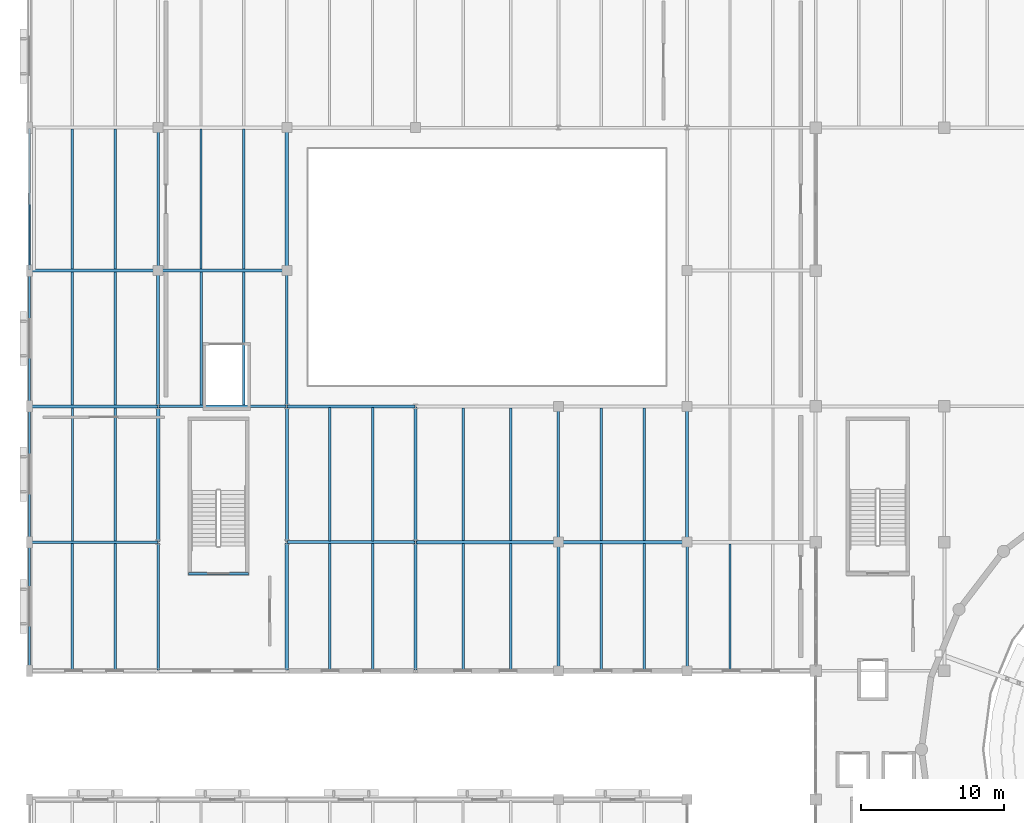
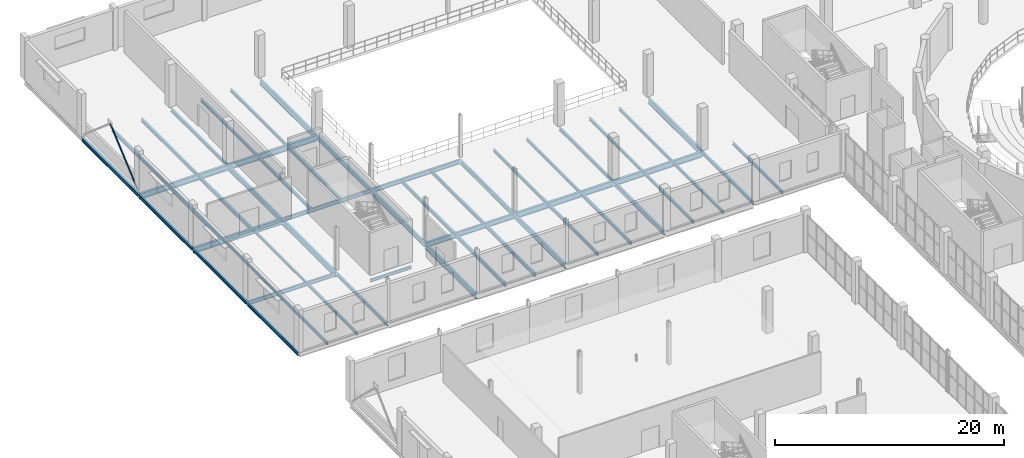
# One storey, part 42 of 93: 53 beams, 1 member.
"""IFC4 building model written with IfcOpenShell, lengths in metres."""

from ifc_helpers import new_model, si_unit, direction, frame, origin, origin_2d, place, context, subcontext, project, spatial, hollow_circle, i_section, extrude, material, material_profile, profile_set, type_object, element, save


model = new_model("IFC4")

# Units and contexts
model_context = context("Model", 3, precision=1e-05, world=origin(), true_north=direction((0.0, 1.0)))
body_context = subcontext(model_context, "Body", "Model", "MODEL_VIEW")
ifc_project = project(units=[si_unit("LENGTHUNIT", "METRE"), si_unit("AREAUNIT", "SQUARE_METRE"), si_unit("VOLUMEUNIT", "CUBIC_METRE"), si_unit("PLANEANGLEUNIT", "RADIAN"), si_unit("MASSUNIT", "GRAM", prefix="KILO")], contexts=[model_context])

# Site, building, storey
site_placement = place(None, origin())
site = spatial("IfcSite", under=ifc_project, at=site_placement, CompositionType="ELEMENT")
building_placement = place(site_placement, origin())
building = spatial("IfcBuilding", under=site, at=building_placement, Name="Marnock Terrace Opera House", CompositionType="ELEMENT")
storey_placement = place(building_placement, frame((0.0, 0.0, 5.39990234375)))
storey = spatial("IfcBuildingStorey", under=building, at=storey_placement, Name="L01", CompositionType="ELEMENT", Elevation=5.39990234375)

# Beams
ifc_material_1 = material(Name="Steel Grade 350 (AS/NZS 3679.1)", Category="steel")
ifc_material_profile_1 = material_profile(ifc_material_1, i_section(OverallWidth=0.1708984375, OverallDepth=0.355712890625, WebThickness=0.00732421875, FlangeThickness=0.011474609375, FilletRadius=0.011474609375, at=origin_2d()))
ifc_profile_set_1 = profile_set([ifc_material_profile_1], Name="Steel Grade 350 (AS/NZS 3679.1)")
beam_type_1 = type_object("IfcBeamType", Name="BM-GIRD-360", PredefinedType="BEAM", material=ifc_profile_set_1)
beam_1_placement = place(storey_placement, frame((9.0, 66.050048828125, -0.457763671875), z_axis=(0.0, 1.0, 0.0), x_axis=(-1.0, 0.0, 0.0)))
element("IfcBeam", 1, at=beam_1_placement, inside=storey, type_object=beam_type_1, Name="L01 girder (X=9.0, 66.0..75.0)", PredefinedType="BEAM", context=body_context, shape_type="SweptSolid", body=[
    extrude(i_section(OverallWidth=0.1708984375, OverallDepth=0.355712890625, WebThickness=0.00732421875, FlangeThickness=0.011474609375, FilletRadius=0.011474609375, at=origin_2d()), origin(), (0.0, 0.0, 1.0), 8.89990234375),
])
beam_2_placement = place(storey_placement, frame((9.0, 94.050048828125, -0.457763671875), z_axis=(0.0, 1.0, 0.0), x_axis=(-1.0, 0.0, 0.0)))
element("IfcBeam", 2, at=beam_2_placement, inside=storey, type_object=beam_type_1, Name="L01 girder (X=9.0, 94.0..104.0)", PredefinedType="BEAM", context=body_context, shape_type="SweptSolid", body=[
    extrude(i_section(OverallWidth=0.1708984375, OverallDepth=0.355712890625, WebThickness=0.00732421875, FlangeThickness=0.011474609375, FilletRadius=0.011474609375, at=origin_2d()), origin(), (0.0, 0.0, 1.0), 9.89990234375),
])
beam_3_placement = place(storey_placement, frame((37.0, 75.050048828125, -0.457763671875), z_axis=(0.0, 1.0, 0.0), x_axis=(-1.0, 0.0, 0.0)))
element("IfcBeam", 3, at=beam_3_placement, inside=storey, type_object=beam_type_1, Name="L01 girder (X=37.0, 75.0..84.5)", PredefinedType="BEAM", context=body_context, shape_type="SweptSolid", body=[
    extrude(i_section(OverallWidth=0.1708984375, OverallDepth=0.355712890625, WebThickness=0.00732421875, FlangeThickness=0.011474609375, FilletRadius=0.011474609375, at=origin_2d()), origin(), (0.0, 0.0, 1.0), 9.39990234375),
])
beam_4_placement = place(storey_placement, frame((46.0, 66.050048828125, -0.457763671875), z_axis=(0.0, 1.0, 0.0), x_axis=(-1.0, 0.0, 0.0)))
element("IfcBeam", 4, at=beam_4_placement, inside=storey, type_object=beam_type_1, Name="L01 girder (X=46.0, 66.0..75.0)", PredefinedType="BEAM", context=body_context, shape_type="SweptSolid", body=[
    extrude(i_section(OverallWidth=0.1708984375, OverallDepth=0.355712890625, WebThickness=0.00732421875, FlangeThickness=0.011474609375, FilletRadius=0.011474609375, at=origin_2d()), origin(), (0.0, 0.0, 1.0), 8.89990234375),
])
ifc_material_profile_2 = material_profile(ifc_material_1, i_section(OverallWidth=0.177978515625, OverallDepth=0.402587890625, WebThickness=0.007568359375, FlangeThickness=0.010986328125, FilletRadius=0.011474609375, at=origin_2d()))
ifc_profile_set_2 = profile_set([ifc_material_profile_2], Name="Steel Grade 350 (AS/NZS 3679.1)")
beam_type_2 = type_object("IfcBeamType", Name="BM-GIRD-410", PredefinedType="BEAM", material=ifc_profile_set_2)
for number, where, z_axis, x_axis, name in (
    (5, (0.050048828125, 75.0, -0.481201171875), (1.0, 0.0, 0.0), (0.0, 1.0, 0.0), "L01 girder (0.0..9.0, Y=75.0)"),
    (6, (9.050048828125, 84.5, -0.481201171875), (1.0, 0.0, 0.0), (0.0, 1.0, 0.0), "L01 girder (9.0..18.0, Y=84.5)"),
):
    element("IfcBeam", number, at=place(storey_placement, frame(where, z_axis=z_axis, x_axis=x_axis)), inside=storey, type_object=beam_type_2, Name=name, PredefinedType="BEAM", context=body_context, shape_type="SweptSolid", body=[
        extrude(i_section(OverallWidth=0.177978515625, OverallDepth=0.402587890625, WebThickness=0.007568359375, FlangeThickness=0.010986328125, FilletRadius=0.011474609375, at=origin_2d()), origin(), (0.0, 0.0, 1.0), 8.89990234375),
    ])
ifc_material_profile_3 = material_profile(ifc_material_1, i_section(OverallWidth=0.19091796875, OverallDepth=0.46044921875, WebThickness=0.010009765625, FlangeThickness=0.01611328125, FilletRadius=0.011474609375, at=origin_2d()))
ifc_profile_set_3 = profile_set([ifc_material_profile_3], Name="Steel Grade 350 (AS/NZS 3679.1)")
beam_type_3 = type_object("IfcBeamType", Name="BM-GIRD-460A", PredefinedType="BEAM", material=ifc_profile_set_3)
beam_5_placement = place(storey_placement, frame((18.050048828125, 84.5, -0.510009765625), z_axis=(1.0, 0.0, 0.0), x_axis=(0.0, 1.0, 0.0)))
element("IfcBeam", 7, at=beam_5_placement, inside=storey, type_object=beam_type_3, Name="L01 girder (18.0..27.0, Y=84.5)", PredefinedType="BEAM", context=body_context, shape_type="SweptSolid", body=[
    extrude(i_section(OverallWidth=0.19091796875, OverallDepth=0.46044921875, WebThickness=0.010009765625, FlangeThickness=0.01611328125, FilletRadius=0.011474609375, at=origin_2d()), origin(), (0.0, 0.0, 1.0), 8.89990234375),
])
ifc_material_profile_4 = material_profile(ifc_material_1, i_section(OverallWidth=0.18994140625, OverallDepth=0.45751953125, WebThickness=0.009033203125, FlangeThickness=0.014404296875, FilletRadius=0.011474609375, at=origin_2d()))
ifc_profile_set_4 = profile_set([ifc_material_profile_4], Name="Steel Grade 350 (AS/NZS 3679.1)")
beam_type_4 = type_object("IfcBeamType", Name="BM-GIRD-460B", PredefinedType="BEAM", material=ifc_profile_set_4)
for number, where, z_axis, x_axis, name in (
    (8, (18.0, 84.550048828125, -0.508544921875), (0.0, 1.0, 0.0), (-1.0, 0.0, 0.0), "L01 girder (X=18.0, 84.5..94.0)"),
    (9, (27.0, 75.050048828125, -0.508544921875), (0.0, 1.0, 0.0), (-1.0, 0.0, 0.0), "L01 girder (X=27.0, 75.0..84.5)"),
):
    element("IfcBeam", number, at=place(storey_placement, frame(where, z_axis=z_axis, x_axis=x_axis)), inside=storey, type_object=beam_type_4, Name=name, PredefinedType="BEAM", context=body_context, shape_type="SweptSolid", body=[
        extrude(i_section(OverallWidth=0.18994140625, OverallDepth=0.45751953125, WebThickness=0.009033203125, FlangeThickness=0.014404296875, FilletRadius=0.011474609375, at=origin_2d()), origin(), (0.0, 0.0, 1.0), 9.39990234375),
    ])
beam_6_placement = place(storey_placement, frame((37.0, 66.050048828125, -0.508544921875), z_axis=(0.0, 1.0, 0.0), x_axis=(-1.0, 0.0, 0.0)))
element("IfcBeam", 10, at=beam_6_placement, inside=storey, type_object=beam_type_4, Name="L01 girder (X=37.0, 66.0..75.0)", PredefinedType="BEAM", context=body_context, shape_type="SweptSolid", body=[
    extrude(i_section(OverallWidth=0.18994140625, OverallDepth=0.45751953125, WebThickness=0.009033203125, FlangeThickness=0.014404296875, FilletRadius=0.011474609375, at=origin_2d()), origin(), (0.0, 0.0, 1.0), 8.89990234375),
])
ifc_material_profile_5 = material_profile(ifc_material_1, i_section(OverallWidth=0.208984375, OverallDepth=0.532958984375, WebThickness=0.01025390625, FlangeThickness=0.015625, FilletRadius=0.013916015625, at=origin_2d()))
ifc_profile_set_5 = profile_set([ifc_material_profile_5], Name="Steel Grade 350 (AS/NZS 3679.1)")
beam_type_5 = type_object("IfcBeamType", Name="BM-GIRD-530A", PredefinedType="BEAM", material=ifc_profile_set_5)
beam_7_placement = place(storey_placement, frame((18.050048828125, 75.0, -0.54638671875), z_axis=(1.0, 0.0, 0.0), x_axis=(0.0, 1.0, 0.0)))
element("IfcBeam", 11, at=beam_7_placement, inside=storey, type_object=beam_type_5, Name="L01 girder (18.0..27.0, Y=75.0)", PredefinedType="BEAM", context=body_context, shape_type="SweptSolid", body=[
    extrude(i_section(OverallWidth=0.208984375, OverallDepth=0.532958984375, WebThickness=0.01025390625, FlangeThickness=0.015625, FilletRadius=0.013916015625, at=origin_2d()), origin(), (0.0, 0.0, 1.0), 8.89990234375),
])
ifc_material_profile_6 = material_profile(ifc_material_1, i_section(OverallWidth=0.208984375, OverallDepth=0.528076171875, WebThickness=0.009521484375, FlangeThickness=0.01318359375, FilletRadius=0.013916015625, at=origin_2d()))
ifc_profile_set_6 = profile_set([ifc_material_profile_6], Name="Steel Grade 350 (AS/NZS 3679.1)")
beam_type_6 = type_object("IfcBeamType", Name="BM-GIRD-530B", PredefinedType="BEAM", material=ifc_profile_set_6)
for number, where, z_axis, x_axis, name in (
    (12, (9.0, 84.550048828125, -0.5439453125), (0.0, 1.0, 0.0), (-1.0, 0.0, 0.0), "L01 girder (X=9.0, 84.5..94.0)"),
    (13, (18.0, 75.050048828125, -0.5439453125), (0.0, 1.0, 0.0), (-1.0, 0.0, 0.0), "L01 girder (X=18.0, 75.0..84.5)"),
):
    element("IfcBeam", number, at=place(storey_placement, frame(where, z_axis=z_axis, x_axis=x_axis)), inside=storey, type_object=beam_type_6, Name=name, PredefinedType="BEAM", context=body_context, shape_type="SweptSolid", body=[
        extrude(i_section(OverallWidth=0.208984375, OverallDepth=0.528076171875, WebThickness=0.009521484375, FlangeThickness=0.01318359375, FilletRadius=0.013916015625, at=origin_2d()), origin(), (0.0, 0.0, 1.0), 9.39990234375),
    ])
beam_8_placement = place(storey_placement, frame((27.0, 66.050048828125, -0.5439453125), z_axis=(0.0, 1.0, 0.0), x_axis=(-1.0, 0.0, 0.0)))
element("IfcBeam", 14, at=beam_8_placement, inside=storey, type_object=beam_type_6, Name="L01 girder (X=27.0, 66.0..75.0)", PredefinedType="BEAM", context=body_context, shape_type="SweptSolid", body=[
    extrude(i_section(OverallWidth=0.208984375, OverallDepth=0.528076171875, WebThickness=0.009521484375, FlangeThickness=0.01318359375, FilletRadius=0.013916015625, at=origin_2d()), origin(), (0.0, 0.0, 1.0), 8.89990234375),
])
ifc_material_profile_7 = material_profile(ifc_material_1, i_section(OverallWidth=0.22900390625, OverallDepth=0.611572265625, WebThickness=0.011962890625, FlangeThickness=0.01953125, FilletRadius=0.013916015625, at=origin_2d()))
ifc_profile_set_7 = profile_set([ifc_material_profile_7], Name="Steel Grade 350 (AS/NZS 3679.1)")
beam_type_7 = type_object("IfcBeamType", Name="BM-GIRD-610A", PredefinedType="BEAM", material=ifc_profile_set_7)
for number, where, z_axis, x_axis, name in (
    (15, (0.050048828125, 84.5, -0.585693359375), (1.0, 0.0, 0.0), (0.0, 1.0, 0.0), "L01 girder (0.0..9.0, Y=84.5)"),
    (16, (9.050048828125, 94.0, -0.585693359375), (1.0, 0.0, 0.0), (0.0, 1.0, 0.0), "L01 girder (9.0..18.0, Y=94.0)"),
):
    element("IfcBeam", number, at=place(storey_placement, frame(where, z_axis=z_axis, x_axis=x_axis)), inside=storey, type_object=beam_type_7, Name=name, PredefinedType="BEAM", context=body_context, shape_type="SweptSolid", body=[
        extrude(i_section(OverallWidth=0.22900390625, OverallDepth=0.611572265625, WebThickness=0.011962890625, FlangeThickness=0.01953125, FilletRadius=0.013916015625, at=origin_2d()), origin(), (0.0, 0.0, 1.0), 8.89990234375),
    ])
ifc_material_profile_8 = material_profile(ifc_material_1, i_section(OverallWidth=0.22802734375, OverallDepth=0.60693359375, WebThickness=0.01123046875, FlangeThickness=0.017333984375, FilletRadius=0.013916015625, at=origin_2d()))
ifc_profile_set_8 = profile_set([ifc_material_profile_8], Name="Steel Grade 350 (AS/NZS 3679.1)")
beam_type_8 = type_object("IfcBeamType", Name="BM-GIRD-610B", PredefinedType="BEAM", material=ifc_profile_set_8)
beam_9_placement = place(storey_placement, frame((27.050048828125, 75.0, -0.58349609375), z_axis=(1.0, 0.0, 0.0), x_axis=(0.0, 1.0, 0.0)))
element("IfcBeam", 17, at=beam_9_placement, inside=storey, type_object=beam_type_8, Name="L01 girder (27.0..37.0, Y=75.0)", PredefinedType="BEAM", context=body_context, shape_type="SweptSolid", body=[
    extrude(i_section(OverallWidth=0.22802734375, OverallDepth=0.60693359375, WebThickness=0.01123046875, FlangeThickness=0.017333984375, FilletRadius=0.013916015625, at=origin_2d()), origin(), (0.0, 0.0, 1.0), 9.89990234375),
])
for number, where, z_axis, x_axis, name in (
    (18, (37.050048828125, 75.0, -0.58349609375), (1.0, 0.0, 0.0), (0.0, 1.0, 0.0), "L01 girder (37.0..46.0, Y=75.0)"),
    (19, (0.050048828125, 94.0, -0.58349609375), (1.0, 0.0, 0.0), (0.0, 1.0, 0.0), "L01 girder (0.0..9.0, Y=94.0)"),
):
    element("IfcBeam", number, at=place(storey_placement, frame(where, z_axis=z_axis, x_axis=x_axis)), inside=storey, type_object=beam_type_8, Name=name, PredefinedType="BEAM", context=body_context, shape_type="SweptSolid", body=[
        extrude(i_section(OverallWidth=0.22802734375, OverallDepth=0.60693359375, WebThickness=0.01123046875, FlangeThickness=0.017333984375, FilletRadius=0.013916015625, at=origin_2d()), origin(), (0.0, 0.0, 1.0), 8.89990234375),
    ])
ifc_material_profile_9 = material_profile(ifc_material_1, i_section(OverallWidth=0.22802734375, OverallDepth=0.60205078125, WebThickness=0.010498046875, FlangeThickness=0.014892578125, FilletRadius=0.013916015625, at=origin_2d()))
ifc_profile_set_9 = profile_set([ifc_material_profile_9], Name="Steel Grade 350 (AS/NZS 3679.1)")
beam_type_9 = type_object("IfcBeamType", Name="BM-GIRD-610C", PredefinedType="BEAM", material=ifc_profile_set_9)
beam_10_placement = place(storey_placement, frame((9.0, 75.050048828125, -0.580810546875), z_axis=(0.0, 1.0, 0.0), x_axis=(-1.0, 0.0, 0.0)))
element("IfcBeam", 20, at=beam_10_placement, inside=storey, type_object=beam_type_9, Name="L01 girder (X=9.0, 75.0..84.5)", PredefinedType="BEAM", context=body_context, shape_type="SweptSolid", body=[
    extrude(i_section(OverallWidth=0.22802734375, OverallDepth=0.60205078125, WebThickness=0.010498046875, FlangeThickness=0.014892578125, FilletRadius=0.013916015625, at=origin_2d()), origin(), (0.0, 0.0, 1.0), 9.39990234375),
])
beam_11_placement = place(storey_placement, frame((18.0, 66.050048828125, -0.580810546875), z_axis=(0.0, 1.0, 0.0), x_axis=(-1.0, 0.0, 0.0)))
element("IfcBeam", 21, at=beam_11_placement, inside=storey, type_object=beam_type_9, Name="L01 girder (X=18.0, 66.0..75.0)", PredefinedType="BEAM", context=body_context, shape_type="SweptSolid", body=[
    extrude(i_section(OverallWidth=0.22802734375, OverallDepth=0.60205078125, WebThickness=0.010498046875, FlangeThickness=0.014892578125, FilletRadius=0.013916015625, at=origin_2d()), origin(), (0.0, 0.0, 1.0), 8.89990234375),
])
beam_12_placement = place(storey_placement, frame((18.0, 94.050048828125, -0.580810546875), z_axis=(0.0, 1.0, 0.0), x_axis=(-1.0, 0.0, 0.0)))
element("IfcBeam", 22, at=beam_12_placement, inside=storey, type_object=beam_type_9, Name="L01 girder (X=18.0, 94.0..104.0)", PredefinedType="BEAM", context=body_context, shape_type="SweptSolid", body=[
    extrude(i_section(OverallWidth=0.22802734375, OverallDepth=0.60205078125, WebThickness=0.010498046875, FlangeThickness=0.014892578125, FilletRadius=0.013916015625, at=origin_2d()), origin(), (0.0, 0.0, 1.0), 9.89990234375),
])
beam_13_placement = place(storey_placement, frame((46.0, 75.050048828125, -0.580810546875), z_axis=(0.0, 1.0, 0.0), x_axis=(-1.0, 0.0, 0.0)))
element("IfcBeam", 23, at=beam_13_placement, inside=storey, type_object=beam_type_9, Name="L01 girder (X=46.0, 75.0..84.5)", PredefinedType="BEAM", context=body_context, shape_type="SweptSolid", body=[
    extrude(i_section(OverallWidth=0.22802734375, OverallDepth=0.60205078125, WebThickness=0.010498046875, FlangeThickness=0.014892578125, FilletRadius=0.013916015625, at=origin_2d()), origin(), (0.0, 0.0, 1.0), 9.39990234375),
])
ifc_material_profile_10 = material_profile(ifc_material_1, i_section(OverallWidth=0.14599609375, OverallDepth=0.256103515625, WebThickness=0.00634765625, FlangeThickness=0.010986328125, FilletRadius=0.0087890625, at=origin_2d()))
ifc_profile_set_10 = profile_set([ifc_material_profile_10], Name="Steel Grade 350 (AS/NZS 3679.1)")
beam_type_10 = type_object("IfcBeamType", Name="BM-JOIST-250", PredefinedType="JOIST", material=ifc_profile_set_10)
for number, where, z_axis, x_axis, name in (
    (24, (3.0, 75.083984375, -0.407958984375), (0.0, 1.0, 0.0), (-1.0, 0.0, 0.0), "L01 secondary joist 0.9.1"),
    (25, (6.0, 75.083984375, -0.407958984375), (0.0, 1.0, 0.0), (-1.0, 0.0, 0.0), "L01 secondary joist 0.9.2"),
):
    element("IfcBeam", number, at=place(storey_placement, frame(where, z_axis=z_axis, x_axis=x_axis)), inside=storey, type_object=beam_type_10, Name=name, PredefinedType="JOIST", context=body_context, shape_type="SweptSolid", body=[
        extrude(i_section(OverallWidth=0.14599609375, OverallDepth=0.256103515625, WebThickness=0.00634765625, FlangeThickness=0.010986328125, FilletRadius=0.0087890625, at=origin_2d()), origin(), (0.0, 0.0, 1.0), 9.306396484375),
    ])
ifc_material_profile_11 = material_profile(ifc_material_1, i_section(OverallWidth=0.166015625, OverallDepth=0.30712890625, WebThickness=0.006591796875, FlangeThickness=0.01171875, FilletRadius=0.011474609375, at=origin_2d()))
ifc_profile_set_11 = profile_set([ifc_material_profile_11], Name="Steel Grade 350 (AS/NZS 3679.1)")
beam_type_11 = type_object("IfcBeamType", Name="BM-JOIST-310A", PredefinedType="JOIST", material=ifc_profile_set_11)
for number, where, z_axis, x_axis, name in (
    (26, (12.0, 94.109619140625, -0.43359375), (0.0, 1.0, 0.0), (-1.0, 0.0, 0.0), "L01 secondary joist 1.11.1"),
    (27, (15.0, 94.109619140625, -0.43359375), (0.0, 1.0, 0.0), (-1.0, 0.0, 0.0), "L01 secondary joist 1.11.2"),
):
    element("IfcBeam", number, at=place(storey_placement, frame(where, z_axis=z_axis, x_axis=x_axis)), inside=storey, type_object=beam_type_11, Name=name, PredefinedType="JOIST", context=body_context, shape_type="SweptSolid", body=[
        extrude(i_section(OverallWidth=0.166015625, OverallDepth=0.30712890625, WebThickness=0.006591796875, FlangeThickness=0.01171875, FilletRadius=0.011474609375, at=origin_2d()), origin(), (0.0, 0.0, 1.0), 9.781494140625),
    ])
for number, where, z_axis, x_axis, name in (
    (28, (30.333251953125, 75.10888671875, -0.43359375), (0.0, 1.0, 0.0), (-1.0, 0.0, 0.0), "L01 secondary joist 3.9.1"),
    (29, (33.666748046875, 75.10888671875, -0.43359375), (0.0, 1.0, 0.0), (-1.0, 0.0, 0.0), "L01 secondary joist 3.9.2"),
):
    element("IfcBeam", number, at=place(storey_placement, frame(where, z_axis=z_axis, x_axis=x_axis)), inside=storey, type_object=beam_type_11, Name=name, PredefinedType="JOIST", context=body_context, shape_type="SweptSolid", body=[
        extrude(i_section(OverallWidth=0.166015625, OverallDepth=0.30712890625, WebThickness=0.006591796875, FlangeThickness=0.01171875, FilletRadius=0.011474609375, at=origin_2d()), origin(), (0.0, 0.0, 1.0), 9.29150390625),
    ])
for number, where, z_axis, x_axis, name in (
    (30, (40.0, 66.109619140625, -0.43359375), (0.0, 1.0, 0.0), (-1.0, 0.0, 0.0), "L01 secondary joist 4.8.1"),
    (31, (43.0, 66.109619140625, -0.43359375), (0.0, 1.0, 0.0), (-1.0, 0.0, 0.0), "L01 secondary joist 4.8.2"),
):
    element("IfcBeam", number, at=place(storey_placement, frame(where, z_axis=z_axis, x_axis=x_axis)), inside=storey, type_object=beam_type_11, Name=name, PredefinedType="JOIST", context=body_context, shape_type="SweptSolid", body=[
        extrude(i_section(OverallWidth=0.166015625, OverallDepth=0.30712890625, WebThickness=0.006591796875, FlangeThickness=0.01171875, FilletRadius=0.011474609375, at=origin_2d()), origin(), (0.0, 0.0, 1.0), 8.781494140625),
    ])
ifc_material_profile_12 = material_profile(ifc_material_1, i_section(OverallWidth=0.1650390625, OverallDepth=0.3037109375, WebThickness=0.006103515625, FlangeThickness=0.01025390625, FilletRadius=0.011474609375, at=origin_2d()))
ifc_profile_set_12 = profile_set([ifc_material_profile_12], Name="Steel Grade 350 (AS/NZS 3679.1)")
beam_type_12 = type_object("IfcBeamType", Name="BM-JOIST-310B", PredefinedType="JOIST", material=ifc_profile_set_12)
for number, where, z_axis, x_axis, name in (
    (32, (3.0, 66.090576171875, -0.431884765625), (0.0, 1.0, 0.0), (-1.0, 0.0, 0.0), "L01 secondary joist 0.8.1"),
    (33, (6.0, 66.090576171875, -0.431884765625), (0.0, 1.0, 0.0), (-1.0, 0.0, 0.0), "L01 secondary joist 0.8.2"),
):
    element("IfcBeam", number, at=place(storey_placement, frame(where, z_axis=z_axis, x_axis=x_axis)), inside=storey, type_object=beam_type_12, Name=name, PredefinedType="JOIST", context=body_context, shape_type="SweptSolid", body=[
        extrude(i_section(OverallWidth=0.1650390625, OverallDepth=0.3037109375, WebThickness=0.006103515625, FlangeThickness=0.01025390625, FilletRadius=0.011474609375, at=origin_2d()), origin(), (0.0, 0.0, 1.0), 8.825439453125),
    ])
for number, where, z_axis, x_axis, name in (
    (34, (40.0, 75.10888671875, -0.431884765625), (0.0, 1.0, 0.0), (-1.0, 0.0, 0.0), "L01 secondary joist 4.9.1"),
    (35, (43.0, 75.10888671875, -0.431884765625), (0.0, 1.0, 0.0), (-1.0, 0.0, 0.0), "L01 secondary joist 4.9.2"),
):
    element("IfcBeam", number, at=place(storey_placement, frame(where, z_axis=z_axis, x_axis=x_axis)), inside=storey, type_object=beam_type_12, Name=name, PredefinedType="JOIST", context=body_context, shape_type="SweptSolid", body=[
        extrude(i_section(OverallWidth=0.1650390625, OverallDepth=0.3037109375, WebThickness=0.006103515625, FlangeThickness=0.01025390625, FilletRadius=0.011474609375, at=origin_2d()), origin(), (0.0, 0.0, 1.0), 9.29150390625),
    ])
beam_14_placement = place(storey_placement, frame((49.0, 66.083984375, -0.431884765625), z_axis=(0.0, 1.0, 0.0), x_axis=(-1.0, 0.0, 0.0)))
element("IfcBeam", 36, at=beam_14_placement, inside=storey, type_object=beam_type_12, Name="L01 secondary joist 5.8.1", PredefinedType="JOIST", context=body_context, shape_type="SweptSolid", body=[
    extrude(i_section(OverallWidth=0.1650390625, OverallDepth=0.3037109375, WebThickness=0.006103515625, FlangeThickness=0.01025390625, FilletRadius=0.011474609375, at=origin_2d()), origin(), (0.0, 0.0, 1.0), 8.806396484375),
])
ifc_material_profile_13 = material_profile(ifc_material_1, i_section(OverallWidth=0.172119140625, OverallDepth=0.358642578125, WebThickness=0.008056640625, FlangeThickness=0.012939453125, FilletRadius=0.011474609375, at=origin_2d()))
ifc_profile_set_13 = profile_set([ifc_material_profile_13], Name="Steel Grade 350 (AS/NZS 3679.1)")
beam_type_13 = type_object("IfcBeamType", Name="BM-JOIST-360", PredefinedType="JOIST", material=ifc_profile_set_13)
for number, where, z_axis, x_axis, name in (
    (37, (3.0, 94.10888671875, -0.459228515625), (0.0, 1.0, 0.0), (-1.0, 0.0, 0.0), "L01 secondary joist 0.11.1"),
    (38, (6.0, 94.10888671875, -0.459228515625), (0.0, 1.0, 0.0), (-1.0, 0.0, 0.0), "L01 secondary joist 0.11.2"),
):
    element("IfcBeam", number, at=place(storey_placement, frame(where, z_axis=z_axis, x_axis=x_axis)), inside=storey, type_object=beam_type_13, Name=name, PredefinedType="JOIST", context=body_context, shape_type="SweptSolid", body=[
        extrude(i_section(OverallWidth=0.172119140625, OverallDepth=0.358642578125, WebThickness=0.008056640625, FlangeThickness=0.012939453125, FilletRadius=0.011474609375, at=origin_2d()), origin(), (0.0, 0.0, 1.0), 9.79150390625),
    ])
for number, where, z_axis, x_axis, name in (
    (39, (12.0, 84.583984375, -0.459228515625), (0.0, 1.0, 0.0), (-1.0, 0.0, 0.0), "L01 secondary joist 1.10.1"),
    (40, (15.0, 84.583984375, -0.459228515625), (0.0, 1.0, 0.0), (-1.0, 0.0, 0.0), "L01 secondary joist 1.10.2"),
):
    element("IfcBeam", number, at=place(storey_placement, frame(where, z_axis=z_axis, x_axis=x_axis)), inside=storey, type_object=beam_type_13, Name=name, PredefinedType="JOIST", context=body_context, shape_type="SweptSolid", body=[
        extrude(i_section(OverallWidth=0.172119140625, OverallDepth=0.358642578125, WebThickness=0.008056640625, FlangeThickness=0.012939453125, FilletRadius=0.011474609375, at=origin_2d()), origin(), (0.0, 0.0, 1.0), 9.306396484375),
    ])
for number, where, z_axis, x_axis, name in (
    (41, (21.0, 75.099609375, -0.459228515625), (0.0, 1.0, 0.0), (-1.0, 0.0, 0.0), "L01 secondary joist 2.9.1"),
    (42, (24.0, 75.099609375, -0.459228515625), (0.0, 1.0, 0.0), (-1.0, 0.0, 0.0), "L01 secondary joist 2.9.2"),
):
    element("IfcBeam", number, at=place(storey_placement, frame(where, z_axis=z_axis, x_axis=x_axis)), inside=storey, type_object=beam_type_13, Name=name, PredefinedType="JOIST", context=body_context, shape_type="SweptSolid", body=[
        extrude(i_section(OverallWidth=0.172119140625, OverallDepth=0.358642578125, WebThickness=0.008056640625, FlangeThickness=0.012939453125, FilletRadius=0.011474609375, at=origin_2d()), origin(), (0.0, 0.0, 1.0), 9.309814453125),
    ])
for number, where, z_axis, x_axis, name in (
    (43, (30.333251953125, 66.109619140625, -0.459228515625), (0.0, 1.0, 0.0), (-1.0, 0.0, 0.0), "L01 secondary joist 3.8.1"),
    (44, (33.666748046875, 66.109619140625, -0.459228515625), (0.0, 1.0, 0.0), (-1.0, 0.0, 0.0), "L01 secondary joist 3.8.2"),
):
    element("IfcBeam", number, at=place(storey_placement, frame(where, z_axis=z_axis, x_axis=x_axis)), inside=storey, type_object=beam_type_13, Name=name, PredefinedType="JOIST", context=body_context, shape_type="SweptSolid", body=[
        extrude(i_section(OverallWidth=0.172119140625, OverallDepth=0.358642578125, WebThickness=0.008056640625, FlangeThickness=0.012939453125, FilletRadius=0.011474609375, at=origin_2d()), origin(), (0.0, 0.0, 1.0), 8.781494140625),
    ])
ifc_material_profile_14 = material_profile(ifc_material_1, i_section(OverallWidth=0.177978515625, OverallDepth=0.406494140625, WebThickness=0.0078125, FlangeThickness=0.0126953125, FilletRadius=0.011474609375, at=origin_2d()))
ifc_profile_set_14 = profile_set([ifc_material_profile_14], Name="Steel Grade 350 (AS/NZS 3679.1)")
beam_type_14 = type_object("IfcBeamType", Name="BM-JOIST-410", PredefinedType="JOIST", material=ifc_profile_set_14)
for number, where, z_axis, x_axis, name in (
    (45, (3.0, 84.609619140625, -0.483154296875), (0.0, 1.0, 0.0), (-1.0, 0.0, 0.0), "L01 secondary joist 0.10.1"),
    (46, (6.0, 84.609619140625, -0.483154296875), (0.0, 1.0, 0.0), (-1.0, 0.0, 0.0), "L01 secondary joist 0.10.2"),
):
    element("IfcBeam", number, at=place(storey_placement, frame(where, z_axis=z_axis, x_axis=x_axis)), inside=storey, type_object=beam_type_14, Name=name, PredefinedType="JOIST", context=body_context, shape_type="SweptSolid", body=[
        extrude(i_section(OverallWidth=0.177978515625, OverallDepth=0.406494140625, WebThickness=0.0078125, FlangeThickness=0.0126953125, FilletRadius=0.011474609375, at=origin_2d()), origin(), (0.0, 0.0, 1.0), 9.281494140625),
    ])
for number, where, z_axis, x_axis, name in (
    (47, (21.0, 66.10888671875, -0.483154296875), (0.0, 1.0, 0.0), (-1.0, 0.0, 0.0), "L01 secondary joist 2.8.1"),
    (48, (24.0, 66.10888671875, -0.483154296875), (0.0, 1.0, 0.0), (-1.0, 0.0, 0.0), "L01 secondary joist 2.8.2"),
):
    element("IfcBeam", number, at=place(storey_placement, frame(where, z_axis=z_axis, x_axis=x_axis)), inside=storey, type_object=beam_type_14, Name=name, PredefinedType="JOIST", context=body_context, shape_type="SweptSolid", body=[
        extrude(i_section(OverallWidth=0.177978515625, OverallDepth=0.406494140625, WebThickness=0.0078125, FlangeThickness=0.0126953125, FilletRadius=0.011474609375, at=origin_2d()), origin(), (0.0, 0.0, 1.0), 8.79150390625),
    ])
ifc_material_profile_15 = material_profile(ifc_material_1, i_section(OverallWidth=0.166015625, OverallDepth=0.30712890625, WebThickness=0.006591796875, FlangeThickness=0.01171875, FilletRadius=0.011474609375, at=origin_2d()))
ifc_profile_set_15 = profile_set([ifc_material_profile_15], Name="Steel Grade 350 (AS/NZS 3679.1)")
beam_type_15 = type_object("IfcBeamType", Name="BM-LINT-310", PredefinedType="LINTEL", material=ifc_profile_set_15)
beam_15_placement = place(storey_placement, frame((11.1201171875, 72.800048828125, -0.6298828125), z_axis=(1.0, 0.0, 0.0), x_axis=(0.0, 1.0, 0.0)))
element("IfcBeam", 49, at=beam_15_placement, inside=storey, type_object=beam_type_15, Name="L00 Core C7 coupling lintel", PredefinedType="LINTEL", context=body_context, shape_type="SweptSolid", body=[
    extrude(i_section(OverallWidth=0.166015625, OverallDepth=0.30712890625, WebThickness=0.006591796875, FlangeThickness=0.01171875, FilletRadius=0.011474609375, at=origin_2d()), origin(), (0.0, 0.0, 1.0), 4.199951171875),
])
ifc_material_profile_16 = material_profile(ifc_material_1, i_section(OverallWidth=0.172119140625, OverallDepth=0.358642578125, WebThickness=0.008056640625, FlangeThickness=0.012939453125, FilletRadius=0.011474609375, at=origin_2d()))
ifc_profile_set_16 = profile_set([ifc_material_profile_16], Name="Steel Grade 350 (AS/NZS 3679.1)")
beam_type_16 = type_object("IfcBeamType", Name="BM-SPAN-360", PredefinedType="SPANDREL", material=ifc_profile_set_16)
beam_16_placement = place(storey_placement, frame((0.0, 66.050048828125, -0.459228515625), z_axis=(0.0, 1.0, 0.0), x_axis=(-1.0, 0.0, 0.0)))
element("IfcBeam", 50, at=beam_16_placement, inside=storey, type_object=beam_type_16, Name="L01 girder (X=0.0, 66.0..75.0)", PredefinedType="SPANDREL", context=body_context, shape_type="SweptSolid", body=[
    extrude(i_section(OverallWidth=0.172119140625, OverallDepth=0.358642578125, WebThickness=0.008056640625, FlangeThickness=0.012939453125, FilletRadius=0.011474609375, at=origin_2d()), origin(), (0.0, 0.0, 1.0), 8.89990234375),
])
for number, where, z_axis, x_axis, name in (
    (51, (0.0, 75.050048828125, -0.459228515625), (0.0, 1.0, 0.0), (-1.0, 0.0, 0.0), "L01 girder (X=0.0, 75.0..84.5)"),
    (52, (0.0, 84.550048828125, -0.459228515625), (0.0, 1.0, 0.0), (-1.0, 0.0, 0.0), "L01 girder (X=0.0, 84.5..94.0)"),
):
    element("IfcBeam", number, at=place(storey_placement, frame(where, z_axis=z_axis, x_axis=x_axis)), inside=storey, type_object=beam_type_16, Name=name, PredefinedType="SPANDREL", context=body_context, shape_type="SweptSolid", body=[
        extrude(i_section(OverallWidth=0.172119140625, OverallDepth=0.358642578125, WebThickness=0.008056640625, FlangeThickness=0.012939453125, FilletRadius=0.011474609375, at=origin_2d()), origin(), (0.0, 0.0, 1.0), 9.39990234375),
    ])
beam_17_placement = place(storey_placement, frame((0.0, 94.050048828125, -0.459228515625), z_axis=(0.0, 1.0, 0.0), x_axis=(-1.0, 0.0, 0.0)))
element("IfcBeam", 53, at=beam_17_placement, inside=storey, type_object=beam_type_16, Name="L01 girder (X=0.0, 94.0..104.0)", PredefinedType="SPANDREL", context=body_context, shape_type="SweptSolid", body=[
    extrude(i_section(OverallWidth=0.172119140625, OverallDepth=0.358642578125, WebThickness=0.008056640625, FlangeThickness=0.012939453125, FilletRadius=0.011474609375, at=origin_2d()), origin(), (0.0, 0.0, 1.0), 9.89990234375),
])

# Member
ifc_material_2 = material(Name="Cold-formed Steel Grade C350L0 (AS/NZS 1163)", Category="steel")
ifc_material_profile_17 = material_profile(ifc_material_2, hollow_circle(Radius=0.06982421875, WallThickness=0.00634765625, at=origin_2d()))
ifc_profile_set_17 = profile_set([ifc_material_profile_17], Name="Cold-formed Steel Grade C350L0 (AS/NZS 1163)")
member_type = type_object("IfcMemberType", Name="MEM-BRACE-CHS3", PredefinedType="BRACE", material=ifc_profile_set_17)
member_placement = place(storey_placement, frame((0.0, 94.14990234375, 0.0), z_axis=(0.0, 0.757482782879, 0.65285513986), x_axis=(-1.0, 0.0, 0.0)))
element("IfcMember", 54, at=member_placement, inside=storey, type_object=member_type, Name="L01 chevron brace A", PredefinedType="BRACE", context=body_context, shape_type="SweptSolid", body=[
    extrude(hollow_circle(Radius=0.06982421875, WallThickness=0.00634765625, at=origin_2d()), origin(), (0.0, 0.0, 1.0), 6.40283203125),
])

save(model, "model.ifc")
